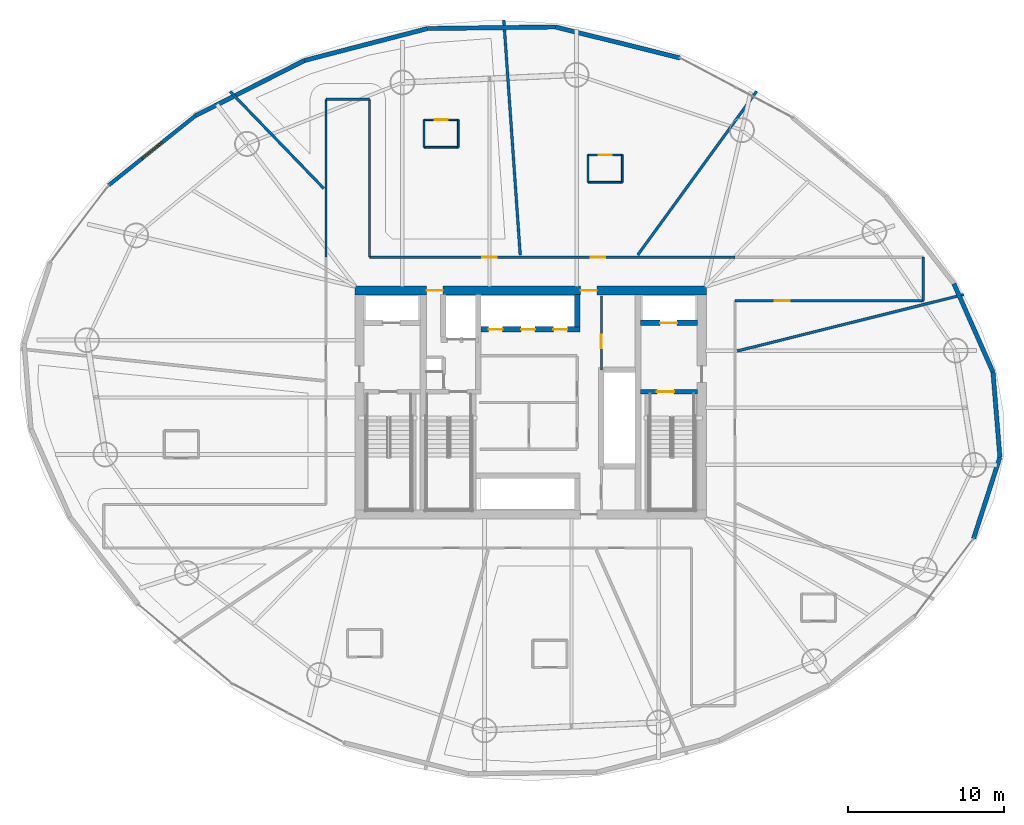
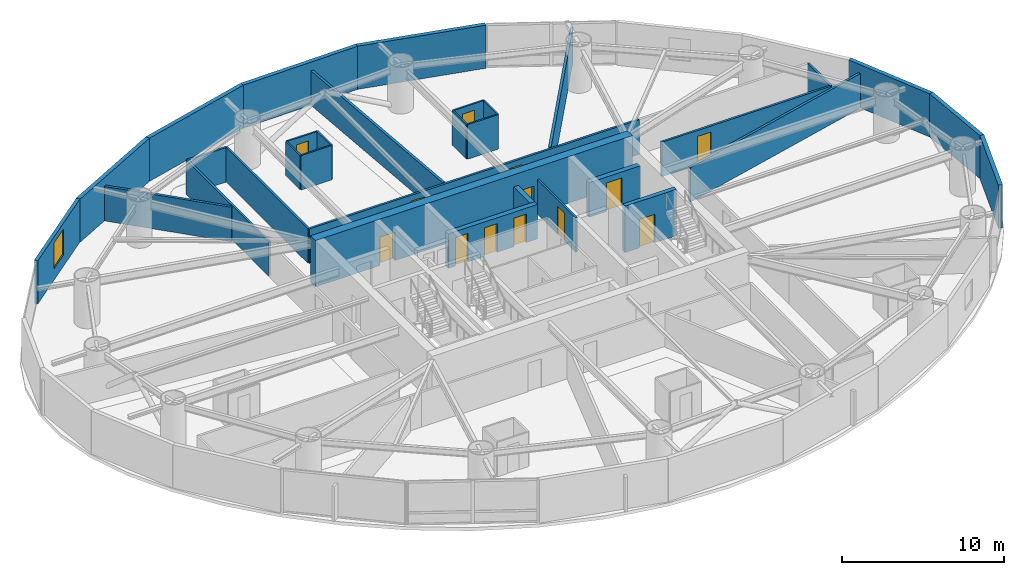
# One storey, part 14 of 19: 32 walls, 13 doors, 1 window, 14 openings.
"""IFC4 building model written with IfcOpenShell, lengths in metres."""

from ifc_helpers import new_model, si_unit, direction, frame, frame_2d, origin, place, context, subcontext, project, spatial, rectangle, extrude, material, layer, layer_set, type_object, element, fill, save


model = new_model("IFC4")

# Units and contexts
model_context = context("Model", 3, precision=1e-05, world=origin(), true_north=direction((0.0, 1.0)))
body_context = subcontext(model_context, "Body", "Model", "MODEL_VIEW")
ifc_project = project(units=[si_unit("LENGTHUNIT", "METRE"), si_unit("AREAUNIT", "SQUARE_METRE"), si_unit("VOLUMEUNIT", "CUBIC_METRE"), si_unit("PLANEANGLEUNIT", "RADIAN"), si_unit("MASSUNIT", "GRAM", prefix="KILO")], contexts=[model_context])

# Site, building, storey
site_placement = place(None, origin())
site = spatial("IfcSite", under=ifc_project, at=site_placement, CompositionType="ELEMENT")
building_placement = place(site_placement, origin())
building = spatial("IfcBuilding", under=site, at=building_placement, Name="Bramvorn Convention Spire", CompositionType="ELEMENT")
storey_placement = place(building_placement, frame((0.0, 0.0, 62.39990234375)))
storey = spatial("IfcBuildingStorey", under=building, at=storey_placement, Name="L13", CompositionType="ELEMENT", Elevation=62.39990234375)

# Wall, openings, doors
ifc_material_1 = material(Name="Concrete C60/70", Category="concrete")
ifc_layer_1 = layer(ifc_material_1, 0.60009765625)
ifc_layer_set_1 = layer_set([ifc_layer_1], Name="Concrete C60/70 - WL-CORE-600")
wall_type_1 = type_object("IfcWallType", Name="WL-CORE-600", PredefinedType="SHEAR", material=ifc_layer_set_1)
wall_1_placement = place(storey_placement, frame((26.699951171875, 33.199951171875, 0.0), z_axis=(0.0, 0.0, 1.0), x_axis=(1.0, 0.0, 0.0)))
wall_1 = element("IfcWall", 1, at=wall_1_placement, inside=storey, type_object=wall_type_1, Name="L13 North RC core shear wall", PredefinedType="SHEAR", context=body_context, shape_type="SweptSolid", body=[
    extrude(rectangle(XDim=22.60009765625, YDim=0.60009765625, at=frame_2d((11.300048828125, 0.0))), origin(), (0.0, 0.0, 1.0), 3.5),
])
opening_1_placement = place(wall_1_placement, frame((4.6201171875, 0.0, 0.0)))
opening_1 = element("IfcOpeningElement", 2, at=opening_1_placement, cuts=wall_1, Name="Opening DL-105", PredefinedType="OPENING", context=body_context, shape_type="SweptSolid", body=[
    extrude(rectangle(XDim=1.050048828125, YDim=2.14990234375, at=frame_2d((0.52490234375, 1.074951171875))), frame((0.0, 0.31005859375, 0.0), z_axis=(0.0, -1.0, 0.0), x_axis=(1.0, 0.0, 0.0)), (0.0, 0.0, 1.0), 0.6201171875),
])
opening_2_placement = place(wall_1_placement, frame((14.52001953125, 0.0, 0.0)))
opening_2 = element("IfcOpeningElement", 3, at=opening_2_placement, cuts=wall_1, Name="Opening DL-105", PredefinedType="OPENING", context=body_context, shape_type="SweptSolid", body=[
    extrude(rectangle(XDim=1.050048828125, YDim=2.14990234375, at=frame_2d((0.52490234375, 1.074951171875))), frame((0.0, 0.31005859375, 0.0), z_axis=(0.0, -1.0, 0.0), x_axis=(1.0, 0.0, 0.0)), (0.0, 0.0, 1.0), 0.6201171875),
])
ifc_material_2 = material(Name="Smoke-Sealed Fire Lobby Timber-Core Door", Category="wood")
door_type_1 = type_object("IfcDoorType", Name="DR-LOBBY-1050", OperationType="NOTDEFINED", PredefinedType="DOOR", material=ifc_material_2)
door_1_placement = place(opening_1_placement, origin())
door_1 = element("IfcDoor", 4, at=door_1_placement, inside=storey, type_object=door_type_1, Name="L13 Service & Stair ST3 Lobby north corridor door", OperationType="SINGLE_SWING_LEFT", OverallHeight=2.14990234375, OverallWidth=1.050048828125, PredefinedType="DOOR", context=body_context, shape_type="SweptSolid", body=[
    extrude(rectangle(XDim=1.050048828125, YDim=2.14990234375, at=frame_2d((0.52490234375, 1.074951171875))), frame((0.0, 0.02490234375, 0.0), z_axis=(0.0, -1.0, 0.0), x_axis=(1.0, 0.0, 0.0)), (0.0, 0.0, 1.0), 0.050048828125),
])
fill(opening_1, door_1)
door_2_placement = place(opening_2_placement, origin())
door_2 = element("IfcDoor", 5, at=door_2_placement, inside=storey, type_object=door_type_1, Name="L13 North Lift Lobby fire door", OperationType="SINGLE_SWING_LEFT", OverallHeight=2.14990234375, OverallWidth=1.050048828125, PredefinedType="DOOR", context=body_context, shape_type="SweptSolid", body=[
    extrude(rectangle(XDim=1.050048828125, YDim=2.14990234375, at=frame_2d((0.52490234375, 1.074951171875))), frame((0.0, 0.02490234375, 0.0), z_axis=(0.0, -1.0, 0.0), x_axis=(1.0, 0.0, 0.0)), (0.0, 0.0, 1.0), 0.050048828125),
])
fill(opening_2, door_2)

# Wall, opening, door
ifc_material_3 = material(Name="Concrete C50/60", Category="concrete")
ifc_layer_2 = layer(ifc_material_3, 0.35009765625)
ifc_layer_set_2 = layer_set([ifc_layer_2], Name="Concrete C50/60 - WL-CORE-INT-350")
wall_type_2 = type_object("IfcWallType", Name="WL-CORE-INT-350", PredefinedType="SHEAR", material=ifc_layer_set_2)
wall_2_placement = place(storey_placement, frame((45.080078125, 31.1201171875, 0.0), z_axis=(0.0, 0.0, 1.0), x_axis=(1.0, 0.0, 0.0)))
wall_2 = element("IfcWall", 6, at=wall_2_placement, inside=storey, type_object=wall_type_2, Name="L13 FE2 shaft front wall", PredefinedType="SHEAR", context=body_context, shape_type="SweptSolid", body=[
    extrude(rectangle(XDim=3.669921875, YDim=0.35009765625, at=frame_2d((1.8349609375, 0.0))), origin(), (0.0, 0.0, 1.0), 2.60009765625),
])
opening_3_placement = place(wall_2_placement, frame((1.25, 0.0, 0.0)))
opening_3 = element("IfcOpeningElement", 7, at=opening_3_placement, cuts=wall_2, Name="Opening LD-110", PredefinedType="OPENING", context=body_context, shape_type="SweptSolid", body=[
    extrude(rectangle(XDim=1.10009765625, YDim=2.14990234375, at=frame_2d((0.550048828125, 1.074951171875))), frame((0.0, 0.18505859375, 0.0), z_axis=(0.0, -1.0, 0.0), x_axis=(1.0, 0.0, 0.0)), (0.0, 0.0, 1.0), 0.3701171875),
])
ifc_material_4 = material(Name="Firefighting & Service Lift Sliding Landing Door", Category="steel")
door_type_2 = type_object("IfcDoorType", Name="DR-LIFT-LD-1100", OperationType="NOTDEFINED", PredefinedType="DOOR", material=ifc_material_4)
door_3_placement = place(opening_3_placement, origin())
door_3 = element("IfcDoor", 8, at=door_3_placement, inside=storey, type_object=door_type_2, Name="L13 Lift FE2 Sliding Landing Door", OperationType="SLIDING_TO_LEFT", OverallHeight=2.14990234375, OverallWidth=1.10009765625, PredefinedType="DOOR", context=body_context, shape_type="SweptSolid", body=[
    extrude(rectangle(XDim=1.10009765625, YDim=2.14990234375, at=frame_2d((0.550048828125, 1.074951171875))), frame((0.0, 0.02490234375, 0.0), z_axis=(0.0, -1.0, 0.0), x_axis=(1.0, 0.0, 0.0)), (0.0, 0.0, 1.0), 0.050048828125),
])
fill(opening_3, door_3)

# Wall, openings, doors
wall_3_placement = place(storey_placement, frame((34.81005859375, 30.699951171875, 0.0), z_axis=(0.0, 0.0, 1.0), x_axis=(1.0, 0.0, 0.0)))
wall_3 = element("IfcWall", 9, at=wall_3_placement, inside=storey, type_object=wall_type_2, Name="L13 Low-rise bank south landing wall", PredefinedType="SHEAR", context=body_context, shape_type="SweptSolid", body=[
    extrude(rectangle(XDim=6.35986328125, YDim=0.35009765625, at=frame_2d((3.179931640625, 0.0))), origin(), (0.0, 0.0, 1.0), 2.60009765625),
])
opening_4_placement = place(wall_3_placement, frame((0.5, 0.0, 0.0)))
opening_4 = element("IfcOpeningElement", 10, at=opening_4_placement, cuts=wall_3, Name="Opening LD-090", PredefinedType="OPENING", context=body_context, shape_type="SweptSolid", body=[
    extrude(rectangle(XDim=0.89990234375, YDim=2.14990234375, at=frame_2d((0.449951171875, 1.074951171875))), frame((0.0, 0.18505859375, 0.0), z_axis=(0.0, -1.0, 0.0), x_axis=(1.0, 0.0, 0.0)), (0.0, 0.0, 1.0), 0.3701171875),
])
opening_5_placement = place(wall_3_placement, frame((2.580078125, 0.0, 0.0)))
opening_5 = element("IfcOpeningElement", 11, at=opening_5_placement, cuts=wall_3, Name="Opening LD-090", PredefinedType="OPENING", context=body_context, shape_type="SweptSolid", body=[
    extrude(rectangle(XDim=0.89990234375, YDim=2.14990234375, at=frame_2d((0.449951171875, 1.074951171875))), frame((0.0, 0.18505859375, 0.0), z_axis=(0.0, -1.0, 0.0), x_axis=(1.0, 0.0, 0.0)), (0.0, 0.0, 1.0), 0.3701171875),
])
opening_6_placement = place(wall_3_placement, frame((4.659912109375, 0.0, 0.0)))
opening_6 = element("IfcOpeningElement", 12, at=opening_6_placement, cuts=wall_3, Name="Opening LD-090", PredefinedType="OPENING", context=body_context, shape_type="SweptSolid", body=[
    extrude(rectangle(XDim=0.89990234375, YDim=2.14990234375, at=frame_2d((0.449951171875, 1.074951171875))), frame((0.0, 0.18505859375, 0.0), z_axis=(0.0, -1.0, 0.0), x_axis=(1.0, 0.0, 0.0)), (0.0, 0.0, 1.0), 0.3701171875),
])
ifc_material_5 = material(Name="Bi-Parting Fire-Rated Lift Landing Door", Category="steel")
door_type_3 = type_object("IfcDoorType", Name="DR-LIFT-LD-900", OperationType="NOTDEFINED", PredefinedType="DOOR", material=ifc_material_5)
door_4_placement = place(opening_4_placement, origin())
door_4 = element("IfcDoor", 13, at=door_4_placement, inside=storey, type_object=door_type_3, Name="L13 Lift PL1 Sliding Landing Door", OperationType="SLIDING_TO_LEFT", OverallHeight=2.14990234375, OverallWidth=0.89990234375, PredefinedType="DOOR", context=body_context, shape_type="SweptSolid", body=[
    extrude(rectangle(XDim=0.89990234375, YDim=2.14990234375, at=frame_2d((0.449951171875, 1.074951171875))), frame((0.0, 0.02490234375, 0.0), z_axis=(0.0, -1.0, 0.0), x_axis=(1.0, 0.0, 0.0)), (0.0, 0.0, 1.0), 0.050048828125),
])
fill(opening_4, door_4)
door_5_placement = place(opening_5_placement, origin())
door_5 = element("IfcDoor", 14, at=door_5_placement, inside=storey, type_object=door_type_3, Name="L13 Lift PL2 Sliding Landing Door", OperationType="SLIDING_TO_LEFT", OverallHeight=2.14990234375, OverallWidth=0.89990234375, PredefinedType="DOOR", context=body_context, shape_type="SweptSolid", body=[
    extrude(rectangle(XDim=0.89990234375, YDim=2.14990234375, at=frame_2d((0.449951171875, 1.074951171875))), frame((0.0, 0.02490234375, 0.0), z_axis=(0.0, -1.0, 0.0), x_axis=(1.0, 0.0, 0.0)), (0.0, 0.0, 1.0), 0.050048828125),
])
fill(opening_5, door_5)
door_6_placement = place(opening_6_placement, origin())
door_6 = element("IfcDoor", 15, at=door_6_placement, inside=storey, type_object=door_type_3, Name="L13 Lift PL3 Sliding Landing Door", OperationType="SLIDING_TO_LEFT", OverallHeight=2.14990234375, OverallWidth=0.89990234375, PredefinedType="DOOR", context=body_context, shape_type="SweptSolid", body=[
    extrude(rectangle(XDim=0.89990234375, YDim=2.14990234375, at=frame_2d((0.449951171875, 1.074951171875))), frame((0.0, 0.02490234375, 0.0), z_axis=(0.0, -1.0, 0.0), x_axis=(1.0, 0.0, 0.0)), (0.0, 0.0, 1.0), 0.050048828125),
])
fill(opening_6, door_6)

# Walls
wall_4_placement = place(storey_placement, frame((41.0, 30.8701171875, 0.0), z_axis=(0.0, 0.0, 1.0), x_axis=(0.0, 1.0, 0.0)))
element("IfcWall", 16, at=wall_4_placement, inside=storey, type_object=wall_type_2, Name="L13 Low-rise bank east cheek wall", PredefinedType="SHEAR", context=body_context, shape_type="SweptSolid", body=[
    extrude(rectangle(XDim=2.079833984375, YDim=0.35009765625, at=frame_2d((1.0400390625, 0.0))), origin(), (0.0, 0.0, 1.0), 2.60009765625),
])
ifc_material_6 = material(Name="Precast Concrete C40/50 with Bronze Terracotta Rainscreen", Category="masonry")
ifc_layer_3 = layer(ifc_material_6, 0.300048828125)
ifc_layer_set_3 = layer_set([ifc_layer_3], Name="Precast Concrete C40/50 with Bronze Terracotta Rainscreen - WL-EXT-BRONZE-300")
wall_type_3 = type_object("IfcWallType", Name="WL-EXT-BRONZE-300", PredefinedType="SOLIDWALL", material=ifc_layer_set_3)
wall_5_placement = place(storey_placement, frame((67.731201171875, 27.961181640625, 0.0), z_axis=(0.0, 0.0, 1.0), x_axis=(0.080828985953, -0.996727984472, 0.0)))
element("IfcWall", 17, at=wall_5_placement, inside=storey, type_object=wall_type_3, Name="L13 expressed bronze Gothic lancet pier wall 01", PredefinedType="SOLIDWALL", context=body_context, shape_type="SweptSolid", body=[
    extrude(rectangle(XDim=5.497314453125, YDim=0.280029296875, at=frame_2d((2.74853515625, 0.0))), origin(), (0.0, 0.0, 1.0), 3.25),
])
wall_6_placement = place(storey_placement, frame((65.21728515625, 33.64208984375, 0.0), z_axis=(0.0, 0.0, 1.0), x_axis=(0.40466845828, -0.914463470497, 0.0)))
element("IfcWall", 18, at=wall_6_placement, inside=storey, type_object=wall_type_3, Name="L13 expressed bronze Gothic lancet pier wall 02", PredefinedType="SOLIDWALL", context=body_context, shape_type="SweptSolid", body=[
    extrude(rectangle(XDim=6.21240234375, YDim=0.280029296875, at=frame_2d((3.106201171875, 0.0))), origin(), (0.0, 0.0, 1.0), 3.25),
])
for number, where, z_axis, x_axis, name in (
    (19, (39.607177734375, 50.146728515625, 0.0), (0.0, 0.0, 1.0), (0.970269574952, -0.24202675869, 0.0), "L13 expressed bronze Gothic lancet pier wall 06"),
    (20, (31.366455078125, 50.045166015625, 0.0), (0.0, 0.0, 1.0), (0.999924062429, 0.012323529359, 0.0), "L13 expressed bronze Gothic lancet pier wall 07"),
):
    element("IfcWall", number, at=place(storey_placement, frame(where, z_axis=z_axis, x_axis=x_axis)), inside=storey, type_object=wall_type_3, Name=name, PredefinedType="SOLIDWALL", context=body_context, shape_type="SweptSolid", body=[
        extrude(rectangle(XDim=8.241455078125, YDim=0.280029296875, at=frame_2d((4.12060546875, 0.0))), origin(), (0.0, 0.0, 1.0), 3.25),
    ])
wall_7_placement = place(storey_placement, frame((23.45849609375, 47.98876953125, 0.0), z_axis=(0.0, 0.0, 1.0), x_axis=(0.967812755344, 0.251671354335, 0.0)))
element("IfcWall", 21, at=wall_7_placement, inside=storey, type_object=wall_type_3, Name="L13 expressed bronze Gothic lancet pier wall 08", PredefinedType="SOLIDWALL", context=body_context, shape_type="SweptSolid", body=[
    extrude(rectangle(XDim=8.1708984375, YDim=0.280029296875, at=frame_2d((4.08544921875, 0.0))), origin(), (0.0, 0.0, 1.0), 3.25),
])
wall_8_placement = place(storey_placement, frame((16.46044921875, 44.443603515625, 0.0), z_axis=(0.0, 0.0, 1.0), x_axis=(0.892062039894, 0.451912952878, 0.0)))
element("IfcWall", 22, at=wall_8_placement, inside=storey, type_object=wall_type_3, Name="L13 expressed bronze Gothic lancet pier wall 09", PredefinedType="SOLIDWALL", context=body_context, shape_type="SweptSolid", body=[
    extrude(rectangle(XDim=7.8447265625, YDim=0.280029296875, at=frame_2d((3.92236328125, 0.0))), origin(), (0.0, 0.0, 1.0), 3.25),
])

# Wall, opening, window
wall_9_placement = place(storey_placement, frame((10.886962890625, 39.976318359375, 0.0), z_axis=(0.0, 0.0, 1.0), x_axis=(0.780288251462, 0.625420054547, 0.0)))
wall_9 = element("IfcWall", 23, at=wall_9_placement, inside=storey, type_object=wall_type_3, Name="L13 bronze ceramic-frit spandrel & operable window bay 10", PredefinedType="SOLIDWALL", context=body_context, shape_type="SweptSolid", body=[
    extrude(rectangle(XDim=7.142822265625, YDim=0.239990234375, at=frame_2d((3.5712890625, 0.0))), origin(), (0.0, 0.0, 1.0), 3.25),
])
opening_7_placement = place(wall_9_placement, frame((2.746337890625, 0.0, 0.85009765625)))
opening_7 = element("IfcOpeningElement", 24, at=opening_7_placement, cuts=wall_9, Name="Opening WN08", PredefinedType="OPENING", context=body_context, shape_type="SweptSolid", body=[
    extrude(rectangle(XDim=1.64990234375, YDim=1.949951171875, at=frame_2d((0.824951171875, 0.97509765625))), frame((0.0, 0.1298828125, 0.0), z_axis=(0.0, -1.0, 0.0), x_axis=(1.0, 0.0, 0.0)), (0.0, 0.0, 1.0), 0.260009765625),
])
ifc_material_7 = material(Name="Thermally Broken Bronze Aluminium & Triple Low-E Glass", Category="aluminium")
window_type = type_object("IfcWindowType", Name="WN-OP-1650X1950", PartitioningType="SINGLE_PANEL", PredefinedType="WINDOW", material=ifc_material_7)
window_placement = place(opening_7_placement, origin())
window = element("IfcWindow", 25, at=window_placement, inside=storey, type_object=window_type, Name="L13 operable parallel-vent window 10", OverallHeight=1.949951171875, OverallWidth=1.64990234375, PartitioningType="SINGLE_PANEL", PredefinedType="WINDOW", context=body_context, shape_type="SweptSolid", body=[
    extrude(rectangle(XDim=1.64990234375, YDim=1.949951171875, at=frame_2d((0.824951171875, 0.97509765625))), frame((0.0, 0.030029296875, 0.0), z_axis=(0.0, -1.0, 0.0), x_axis=(1.0, 0.0, 0.0)), (0.0, 0.0, 1.0), 0.06005859375),
])
fill(opening_7, window)

# Walls
wall_10_placement = place(storey_placement, frame((68.175537109375, 22.48193359375, 0.0), z_axis=(0.0, 0.0, 1.0), x_axis=(-0.307982270816, -0.951392096279, 0.0)))
element("IfcWall", 26, at=wall_10_placement, inside=storey, type_object=wall_type_3, Name="L13 expressed bronze Gothic lancet pier wall 24", PredefinedType="SOLIDWALL", context=body_context, shape_type="SweptSolid", body=[
    extrude(rectangle(XDim=5.49755859375, YDim=0.280029296875, at=frame_2d((2.748779296875, 0.0))), origin(), (0.0, 0.0, 1.0), 3.25),
])
ifc_material_8 = material(Name="Lightweight En-Suite & Wet-Wall Partition", Category="gypsum")
ifc_layer_4 = layer(ifc_material_8, 0.110107421875)
ifc_layer_set_4 = layer_set([ifc_layer_4], Name="Lightweight En-Suite & Wet-Wall Partition - WL-PART-110")
wall_type_4 = type_object("IfcWallType", Name="WL-PART-110", PredefinedType="PARTITIONING", material=ifc_layer_set_4)
wall_11_placement = place(storey_placement, frame((41.69677734375, 40.15771484375, 0.0), z_axis=(0.0, 0.0, 1.0), x_axis=(1.0, 0.0, 0.0)))
element("IfcWall", 27, at=wall_11_placement, inside=storey, type_object=wall_type_4, Name="Hotel Suite 1302 en-suite south wall", PredefinedType="PARTITIONING", context=body_context, shape_type="SweptSolid", body=[
    extrude(rectangle(XDim=2.199951171875, YDim=0.110107421875, at=frame_2d((1.10009765625, 0.0))), origin(), (0.0, 0.0, 1.0), 2.60009765625),
])

# Wall, opening, door
wall_12_placement = place(storey_placement, frame((41.69677734375, 41.91748046875, 0.0), z_axis=(0.0, 0.0, 1.0), x_axis=(1.0, 0.0, 0.0)))
wall_12 = element("IfcWall", 28, at=wall_12_placement, inside=storey, type_object=wall_type_4, Name="Hotel Suite 1302 en-suite north wall", PredefinedType="PARTITIONING", context=body_context, shape_type="SweptSolid", body=[
    extrude(rectangle(XDim=2.199951171875, YDim=0.110107421875, at=frame_2d((1.10009765625, 0.0))), origin(), (0.0, 0.0, 1.0), 2.60009765625),
])
opening_8_placement = place(wall_12_placement, frame((0.679931640625, 0.0, 0.0)))
opening_8 = element("IfcOpeningElement", 29, at=opening_8_placement, cuts=wall_12, Name="Opening DI-085", PredefinedType="OPENING", context=body_context, shape_type="SweptSolid", body=[
    extrude(rectangle(XDim=0.85009765625, YDim=2.10009765625, at=frame_2d((0.425048828125, 1.050048828125))), frame((0.0, 0.06494140625, 0.0), z_axis=(0.0, -1.0, 0.0), x_axis=(1.0, 0.0, 0.0)), (0.0, 0.0, 1.0), 0.130126953125),
])
ifc_material_9 = material(Name="En-Suite & Restroom Privacy Door", Category="wood")
door_type_4 = type_object("IfcDoorType", Name="DR-INT-850", OperationType="NOTDEFINED", PredefinedType="DOOR", material=ifc_material_9)
door_7_placement = place(opening_8_placement, origin())
door_7 = element("IfcDoor", 30, at=door_7_placement, inside=storey, type_object=door_type_4, Name="Hotel Suite 1302 En-Suite Bathroom door", OperationType="SINGLE_SWING_LEFT", OverallHeight=2.10009765625, OverallWidth=0.85009765625, PredefinedType="DOOR", context=body_context, shape_type="SweptSolid", body=[
    extrude(rectangle(XDim=0.85009765625, YDim=2.10009765625, at=frame_2d((0.425048828125, 1.050048828125))), frame((0.0, 0.02490234375, 0.0), z_axis=(0.0, -1.0, 0.0), x_axis=(1.0, 0.0, 0.0)), (0.0, 0.0, 1.0), 0.050048828125),
])
fill(opening_8, door_7)

# Walls
for number, where, z_axis, x_axis, name in (
    (31, (41.69677734375, 40.15771484375, 0.0), (0.0, 0.0, 1.0), (0.0, 1.0, 0.0), "Hotel Suite 1302 en-suite west wall"),
    (32, (43.896728515625, 40.15771484375, 0.0), (0.0, 0.0, 1.0), (0.0, 1.0, 0.0), "Hotel Suite 1302 en-suite east wall"),
):
    element("IfcWall", number, at=place(storey_placement, frame(where, z_axis=z_axis, x_axis=x_axis)), inside=storey, type_object=wall_type_4, Name=name, PredefinedType="PARTITIONING", context=body_context, shape_type="SweptSolid", body=[
        extrude(rectangle(XDim=1.759765625, YDim=0.110107421875, at=frame_2d((0.8798828125, 0.0))), origin(), (0.0, 0.0, 1.0), 2.60009765625),
    ])
wall_13_placement = place(storey_placement, frame((31.15087890625, 42.41357421875, 0.0), z_axis=(0.0, 0.0, 1.0), x_axis=(1.0, 0.0, 0.0)))
element("IfcWall", 33, at=wall_13_placement, inside=storey, type_object=wall_type_4, Name="Hotel Suite 1303 en-suite south wall", PredefinedType="PARTITIONING", context=body_context, shape_type="SweptSolid", body=[
    extrude(rectangle(XDim=2.199951171875, YDim=0.110107421875, at=frame_2d((1.10009765625, 0.0))), origin(), (0.0, 0.0, 1.0), 2.60009765625),
])

# Wall, opening, door
wall_14_placement = place(storey_placement, frame((31.15087890625, 44.173583984375, 0.0), z_axis=(0.0, 0.0, 1.0), x_axis=(1.0, 0.0, 0.0)))
wall_14 = element("IfcWall", 34, at=wall_14_placement, inside=storey, type_object=wall_type_4, Name="Hotel Suite 1303 en-suite north wall", PredefinedType="PARTITIONING", context=body_context, shape_type="SweptSolid", body=[
    extrude(rectangle(XDim=2.199951171875, YDim=0.110107421875, at=frame_2d((1.10009765625, 0.0))), origin(), (0.0, 0.0, 1.0), 2.60009765625),
])
opening_9_placement = place(wall_14_placement, frame((0.679931640625, 0.0, 0.0)))
opening_9 = element("IfcOpeningElement", 35, at=opening_9_placement, cuts=wall_14, Name="Opening DI-085", PredefinedType="OPENING", context=body_context, shape_type="SweptSolid", body=[
    extrude(rectangle(XDim=0.85009765625, YDim=2.10009765625, at=frame_2d((0.425048828125, 1.050048828125))), frame((0.0, 0.06494140625, 0.0), z_axis=(0.0, -1.0, 0.0), x_axis=(1.0, 0.0, 0.0)), (0.0, 0.0, 1.0), 0.130126953125),
])
door_8_placement = place(opening_9_placement, origin())
door_8 = element("IfcDoor", 36, at=door_8_placement, inside=storey, type_object=door_type_4, Name="Hotel Suite 1303 En-Suite Bathroom door", OperationType="SINGLE_SWING_LEFT", OverallHeight=2.10009765625, OverallWidth=0.85009765625, PredefinedType="DOOR", context=body_context, shape_type="SweptSolid", body=[
    extrude(rectangle(XDim=0.85009765625, YDim=2.10009765625, at=frame_2d((0.425048828125, 1.050048828125))), frame((0.0, 0.02490234375, 0.0), z_axis=(0.0, -1.0, 0.0), x_axis=(1.0, 0.0, 0.0)), (0.0, 0.0, 1.0), 0.050048828125),
])
fill(opening_9, door_8)

# Walls
for number, where, z_axis, x_axis, name in (
    (37, (31.15087890625, 42.41357421875, 0.0), (0.0, 0.0, 1.0), (0.0, 1.0, 0.0), "Hotel Suite 1303 en-suite west wall"),
    (38, (33.350830078125, 42.41357421875, 0.0), (0.0, 0.0, 1.0), (0.0, 1.0, 0.0), "Hotel Suite 1303 en-suite east wall"),
):
    element("IfcWall", number, at=place(storey_placement, frame(where, z_axis=z_axis, x_axis=x_axis)), inside=storey, type_object=wall_type_4, Name=name, PredefinedType="PARTITIONING", context=body_context, shape_type="SweptSolid", body=[
        extrude(rectangle(XDim=1.760009765625, YDim=0.110107421875, at=frame_2d((0.8798828125, 0.0))), origin(), (0.0, 0.0, 1.0), 2.60009765625),
    ])

# Wall, opening, door
ifc_material_10 = material(Name="Metal-Stud Demountable Office Partition", Category="gypsum")
ifc_layer_5 = layer(ifc_material_10, 0.1298828125)
ifc_layer_set_5 = layer_set([ifc_layer_5], Name="Metal-Stud Demountable Office Partition - WL-PART-130")
wall_type_5 = type_object("IfcWallType", Name="WL-PART-130", PredefinedType="PARTITIONING", material=ifc_layer_set_5)
wall_15_placement = place(storey_placement, frame((42.550048828125, 28.10009765625, 0.0), z_axis=(0.0, 0.0, 1.0), x_axis=(0.0, 1.0, 0.0)))
wall_15 = element("IfcWall", 39, at=wall_15_placement, inside=storey, type_object=wall_type_5, Name="L13 KA NE IDF wall", PredefinedType="PARTITIONING", context=body_context, shape_type="SweptSolid", body=[
    extrude(rectangle(XDim=4.75, YDim=0.1298828125, at=frame_2d((2.375, 0.0))), origin(), (0.0, 0.0, 1.0), 2.60009765625),
])
opening_10_placement = place(wall_15_placement, frame((1.39990234375, 0.0, 0.0)))
opening_10 = element("IfcOpeningElement", 40, at=opening_10_placement, cuts=wall_15, Name="Opening DC-085", PredefinedType="OPENING", context=body_context, shape_type="SweptSolid", body=[
    extrude(rectangle(XDim=0.85009765625, YDim=2.10009765625, at=frame_2d((0.425048828125, 1.050048828125))), frame((0.0, 0.074951171875, 0.0), z_axis=(0.0, -1.0, 0.0), x_axis=(1.0, 0.0, 0.0)), (0.0, 0.0, 1.0), 0.14990234375),
])
ifc_material_11 = material(Name="Fire-Rated Core Washroom & IDF Door", Category="wood")
door_type_5 = type_object("IfcDoorType", Name="DR-CORE-850", OperationType="NOTDEFINED", PredefinedType="DOOR", material=ifc_material_11)
door_9_placement = place(opening_10_placement, origin())
door_9 = element("IfcDoor", 41, at=door_9_placement, inside=storey, type_object=door_type_5, Name="L13 Core IDF & BMS Room door", OperationType="SINGLE_SWING_LEFT", OverallHeight=2.10009765625, OverallWidth=0.85009765625, PredefinedType="DOOR", context=body_context, shape_type="SweptSolid", body=[
    extrude(rectangle(XDim=0.85009765625, YDim=2.10009765625, at=frame_2d((0.425048828125, 1.050048828125))), frame((0.0, 0.02490234375, 0.0), z_axis=(0.0, -1.0, 0.0), x_axis=(1.0, 0.0, 0.0)), (0.0, 0.0, 1.0), 0.050048828125),
])
fill(opening_10, door_9)

# Wall, openings, doors
ifc_material_12 = material(Name="Acoustic Metal-Stud Tenant/Corridor Partition", Category="gypsum")
ifc_layer_6 = layer(ifc_material_12, 0.14990234375)
ifc_layer_set_6 = layer_set([ifc_layer_6], Name="Acoustic Metal-Stud Tenant/Corridor Partition - WL-PART-150")
wall_type_6 = type_object("IfcWallType", Name="WL-PART-150", PredefinedType="PARTITIONING", material=ifc_layer_set_6)
wall_16_placement = place(storey_placement, frame((27.64990234375, 35.35009765625, 0.0), z_axis=(0.0, 0.0, 1.0), x_axis=(1.0, 0.0, 0.0)))
wall_16 = element("IfcWall", 42, at=wall_16_placement, inside=storey, type_object=wall_type_6, Name="L13 North ring corridor wall", PredefinedType="PARTITIONING", context=body_context, shape_type="SweptSolid", body=[
    extrude(rectangle(XDim=23.5, YDim=0.14990234375, at=frame_2d((11.75, 0.0))), origin(), (0.0, 0.0, 1.0), 2.60009765625),
])
opening_11_placement = place(wall_16_placement, frame((14.212158203125, 0.0, 0.0)))
opening_11 = element("IfcOpeningElement", 43, at=opening_11_placement, cuts=wall_16, Name="Opening DH-095", PredefinedType="OPENING", context=body_context, shape_type="SweptSolid", body=[
    extrude(rectangle(XDim=0.949951171875, YDim=2.14990234375, at=frame_2d((0.47509765625, 1.074951171875))), frame((0.0, 0.0849609375, 0.0), z_axis=(0.0, -1.0, 0.0), x_axis=(1.0, 0.0, 0.0)), (0.0, 0.0, 1.0), 0.169921875),
])
opening_12_placement = place(wall_16_placement, frame((7.232177734375, 0.0, 0.0)))
opening_12 = element("IfcOpeningElement", 44, at=opening_12_placement, cuts=wall_16, Name="Opening DH-095", PredefinedType="OPENING", context=body_context, shape_type="SweptSolid", body=[
    extrude(rectangle(XDim=0.949951171875, YDim=2.14990234375, at=frame_2d((0.47509765625, 1.074951171875))), frame((0.0, 0.0849609375, 0.0), z_axis=(0.0, -1.0, 0.0), x_axis=(1.0, 0.0, 0.0)), (0.0, 0.0, 1.0), 0.169921875),
])
ifc_material_13 = material(Name="Solid-Core Acoustic Guestroom Entry Door", Category="wood")
door_type_6 = type_object("IfcDoorType", Name="DR-HOTEL-950", OperationType="NOTDEFINED", PredefinedType="DOOR", material=ifc_material_13)
door_10_placement = place(opening_11_placement, origin())
door_10 = element("IfcDoor", 45, at=door_10_placement, inside=storey, type_object=door_type_6, Name="Hotel Suite 1302 entry door", OperationType="SINGLE_SWING_RIGHT", OverallHeight=2.14990234375, OverallWidth=0.949951171875, PredefinedType="DOOR", context=body_context, shape_type="SweptSolid", body=[
    extrude(rectangle(XDim=0.949951171875, YDim=2.14990234375, at=frame_2d((0.47509765625, 1.074951171875))), frame((0.0, 0.02490234375, 0.0), z_axis=(0.0, -1.0, 0.0), x_axis=(1.0, 0.0, 0.0)), (0.0, 0.0, 1.0), 0.050048828125),
])
fill(opening_11, door_10)
door_11_placement = place(opening_12_placement, origin())
door_11 = element("IfcDoor", 46, at=door_11_placement, inside=storey, type_object=door_type_6, Name="Hotel Suite 1303 entry door", OperationType="SINGLE_SWING_LEFT", OverallHeight=2.14990234375, OverallWidth=0.949951171875, PredefinedType="DOOR", context=body_context, shape_type="SweptSolid", body=[
    extrude(rectangle(XDim=0.949951171875, YDim=2.14990234375, at=frame_2d((0.47509765625, 1.074951171875))), frame((0.0, 0.02490234375, 0.0), z_axis=(0.0, -1.0, 0.0), x_axis=(1.0, 0.0, 0.0)), (0.0, 0.0, 1.0), 0.050048828125),
])
fill(opening_12, door_11)

# Wall, opening, door
wall_17_placement = place(storey_placement, frame((51.14990234375, 32.550048828125, 0.0), z_axis=(0.0, 0.0, 1.0), x_axis=(1.0, 0.0, 0.0)))
wall_17 = element("IfcWall", 47, at=wall_17_placement, inside=storey, type_object=wall_type_6, Name="L13 NE pinwheel wing south wall", PredefinedType="PARTITIONING", context=body_context, shape_type="SweptSolid", body=[
    extrude(rectangle(XDim=12.099853515625, YDim=0.14990234375, at=frame_2d((6.0498046875, 0.0))), origin(), (0.0, 0.0, 1.0), 2.60009765625),
])
opening_13_placement = place(wall_17_placement, frame((2.5498046875, 0.0, 0.0)))
opening_13 = element("IfcOpeningElement", 48, at=opening_13_placement, cuts=wall_17, Name="Opening DH-095", PredefinedType="OPENING", context=body_context, shape_type="SweptSolid", body=[
    extrude(rectangle(XDim=0.949951171875, YDim=2.14990234375, at=frame_2d((0.47509765625, 1.074951171875))), frame((0.0, 0.0849609375, 0.0), z_axis=(0.0, -1.0, 0.0), x_axis=(1.0, 0.0, 0.0)), (0.0, 0.0, 1.0), 0.169921875),
])
door_12_placement = place(opening_13_placement, origin())
door_12 = element("IfcDoor", 49, at=door_12_placement, inside=storey, type_object=door_type_6, Name="L13 Hospitality Lounge 1 door", OperationType="SINGLE_SWING_LEFT", OverallHeight=2.14990234375, OverallWidth=0.949951171875, PredefinedType="DOOR", context=body_context, shape_type="SweptSolid", body=[
    extrude(rectangle(XDim=0.949951171875, YDim=2.14990234375, at=frame_2d((0.47509765625, 1.074951171875))), frame((0.0, 0.02490234375, 0.0), z_axis=(0.0, -1.0, 0.0), x_axis=(1.0, 0.0, 0.0)), (0.0, 0.0, 1.0), 0.050048828125),
])
fill(opening_13, door_12)

# Walls
wall_18_placement = place(storey_placement, frame((63.249755859375, 32.550048828125, 0.0), z_axis=(0.0, 0.0, 1.0), x_axis=(0.0, 1.0, 0.0)))
element("IfcWall", 50, at=wall_18_placement, inside=storey, type_object=wall_type_6, Name="L13 NE pinwheel end wall", PredefinedType="PARTITIONING", context=body_context, shape_type="SweptSolid", body=[
    extrude(rectangle(XDim=2.800048828125, YDim=0.14990234375, at=frame_2d((1.39990234375, 0.0))), origin(), (0.0, 0.0, 1.0), 2.60009765625),
])
for number, where, z_axis, x_axis, name in (
    (51, (24.85009765625, 35.35009765625, 0.0), (0.0, 0.0, 1.0), (0.0, 1.0, 0.0), "L13 NW pinwheel wing west wall"),
    (52, (27.64990234375, 35.35009765625, 0.0), (0.0, 0.0, 1.0), (0.0, 1.0, 0.0), "L13 NW pinwheel wing east wall"),
):
    element("IfcWall", number, at=place(storey_placement, frame(where, z_axis=z_axis, x_axis=x_axis)), inside=storey, type_object=wall_type_6, Name=name, PredefinedType="PARTITIONING", context=body_context, shape_type="SweptSolid", body=[
        extrude(rectangle(XDim=10.14990234375, YDim=0.14990234375, at=frame_2d((5.074951171875, 0.0))), origin(), (0.0, 0.0, 1.0), 2.60009765625),
    ])
wall_19_placement = place(storey_placement, frame((24.85009765625, 45.5, 0.0), z_axis=(0.0, 0.0, 1.0), x_axis=(1.0, 0.0, 0.0)))
element("IfcWall", 53, at=wall_19_placement, inside=storey, type_object=wall_type_6, Name="L13 NW pinwheel end wall", PredefinedType="PARTITIONING", context=body_context, shape_type="SweptSolid", body=[
    extrude(rectangle(XDim=2.7998046875, YDim=0.14990234375, at=frame_2d((1.39990234375, 0.0))), origin(), (0.0, 0.0, 1.0), 2.60009765625),
])
ifc_material_14 = material(Name="Double-Stud Acoustic Hotel/Suite Partition", Category="gypsum")
ifc_layer_7 = layer(ifc_material_14, 0.175048828125)
ifc_layer_set_7 = layer_set([ifc_layer_7], Name="Double-Stud Acoustic Hotel/Suite Partition - WL-PART-175")
wall_type_7 = type_object("IfcWallType", Name="WL-PART-175", PredefinedType="PARTITIONING", material=ifc_layer_set_7)
wall_20_placement = place(storey_placement, frame((51.2900390625, 29.313720703125, 0.0), z_axis=(0.0, 0.0, 1.0), x_axis=(0.970298180797, 0.24191205084, 0.0)))
element("IfcWall", 54, at=wall_20_placement, inside=storey, type_object=wall_type_7, Name="L13 Guestroom demising wall 1", PredefinedType="PARTITIONING", context=body_context, shape_type="SweptSolid", body=[
    extrude(rectangle(XDim=15.01708984375, YDim=0.175048828125, at=frame_2d((7.508544921875, 0.0))), origin(), (0.0, 0.0, 1.0), 2.60009765625),
])
wall_21_placement = place(storey_placement, frame((44.89501953125, 35.489990234375, 0.0), z_axis=(0.0, 0.0, 1.0), x_axis=(0.587777789809, 0.809022416134, 0.0)))
element("IfcWall", 55, at=wall_21_placement, inside=storey, type_object=wall_type_7, Name="L13 Guestroom demising wall 2", PredefinedType="PARTITIONING", context=body_context, shape_type="SweptSolid", body=[
    extrude(rectangle(XDim=13.01123046875, YDim=0.175048828125, at=frame_2d((6.505615234375, 0.0))), origin(), (0.0, 0.0, 1.0), 2.60009765625),
])
wall_22_placement = place(storey_placement, frame((37.33642578125, 35.489990234375, 0.0), z_axis=(0.0, 0.0, 1.0), x_axis=(-0.069756564556, 0.99756404391, 0.0)))
element("IfcWall", 56, at=wall_22_placement, inside=storey, type_object=wall_type_7, Name="L13 Guestroom demising wall 3", PredefinedType="PARTITIONING", context=body_context, shape_type="SweptSolid", body=[
    extrude(rectangle(XDim=15.133544921875, YDim=0.175048828125, at=frame_2d((7.56689453125, 0.0))), origin(), (0.0, 0.0, 1.0), 2.60009765625),
])
wall_23_placement = place(storey_placement, frame((24.7099609375, 39.76220703125, 0.0), z_axis=(0.0, 0.0, 1.0), x_axis=(-0.694652731588, 0.71934524569, 0.0)))
element("IfcWall", 57, at=wall_23_placement, inside=storey, type_object=wall_type_7, Name="L13 Guestroom demising wall 4", PredefinedType="PARTITIONING", context=body_context, shape_type="SweptSolid", body=[
    extrude(rectangle(XDim=8.680908203125, YDim=0.175048828125, at=frame_2d((4.34033203125, 0.0))), origin(), (0.0, 0.0, 1.0), 2.60009765625),
])

# Wall, opening, door
ifc_layer_8 = layer(ifc_material_3, 0.300048828125)
ifc_layer_set_8 = layer_set([ifc_layer_8], Name="Concrete C50/60 - WL-POD-STAIR-300")
wall_type_8 = type_object("IfcWallType", Name="WL-POD-STAIR-300", PredefinedType="SHEAR", material=ifc_layer_set_8)
wall_24_placement = place(storey_placement, frame((45.080078125, 26.68994140625, 0.0), z_axis=(0.0, 0.0, 1.0), x_axis=(1.0, 0.0, 0.0)))
wall_24 = element("IfcWall", 58, at=wall_24_placement, inside=storey, type_object=wall_type_8, Name="L13 ST2 north fire wall", PredefinedType="SHEAR", context=body_context, shape_type="SweptSolid", body=[
    extrude(rectangle(XDim=3.669921875, YDim=0.300048828125, at=frame_2d((1.8349609375, 0.0))), origin(), (0.0, 0.0, 1.0), 3.5),
])
opening_14_placement = place(wall_24_placement, frame((1.050048828125, 0.0, 0.0)))
opening_14 = element("IfcOpeningElement", 59, at=opening_14_placement, cuts=wall_24, Name="Opening DS-110", PredefinedType="OPENING", context=body_context, shape_type="SweptSolid", body=[
    extrude(rectangle(XDim=1.10009765625, YDim=2.14990234375, at=frame_2d((0.550048828125, 1.074951171875))), frame((0.0, 0.159912109375, 0.0), z_axis=(0.0, -1.0, 0.0), x_axis=(1.0, 0.0, 0.0)), (0.0, 0.0, 1.0), 0.320068359375),
])
ifc_material_15 = material(Name="Fire-Rated Hollow Steel Stairwell Door", Category="steel")
door_type_7 = type_object("IfcDoorType", Name="DR-STAIR-1100", OperationType="NOTDEFINED", PredefinedType="DOOR", material=ifc_material_15)
door_13_placement = place(opening_14_placement, origin())
door_13 = element("IfcDoor", 60, at=door_13_placement, inside=storey, type_object=door_type_7, Name="L13 Stair ST2 fire door", OperationType="SINGLE_SWING_RIGHT", OverallHeight=2.14990234375, OverallWidth=1.10009765625, PredefinedType="DOOR", context=body_context, shape_type="SweptSolid", body=[
    extrude(rectangle(XDim=1.10009765625, YDim=2.14990234375, at=frame_2d((0.550048828125, 1.074951171875))), frame((0.0, 0.02490234375, 0.0), z_axis=(0.0, -1.0, 0.0), x_axis=(1.0, 0.0, 0.0)), (0.0, 0.0, 1.0), 0.050048828125),
])
fill(opening_14, door_13)

save(model, "model.ifc")
